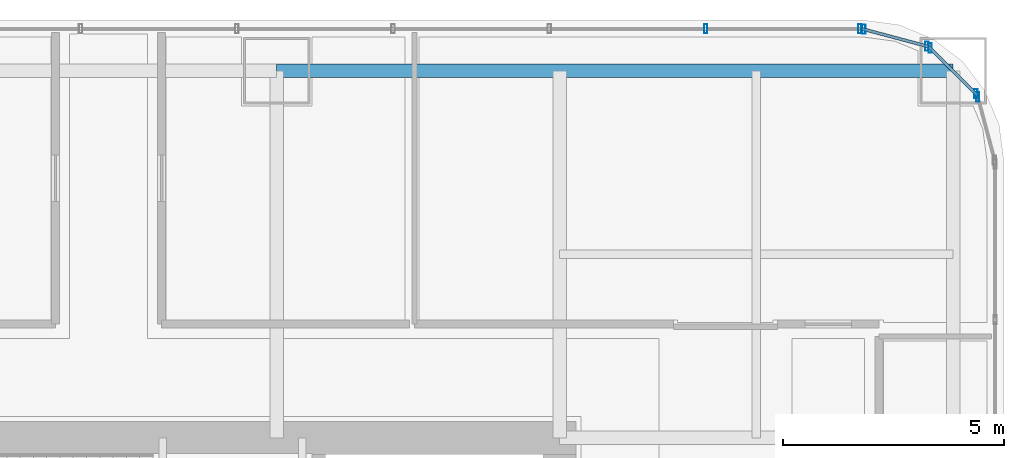
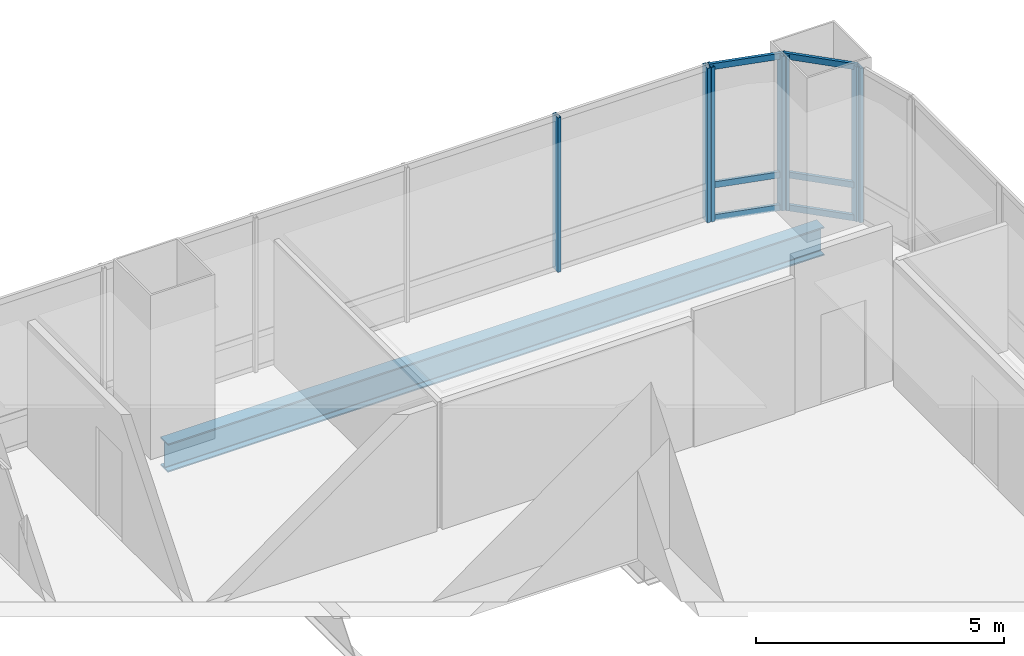
# One storey, part 25 of 36: 13 members, 1 beam, 4 elements without a shape of their own.
"""IFC4 building model written with IfcOpenShell, lengths in metres."""

from ifc_helpers import new_model, si_unit, direction, frame, origin, origin_2d, place, context, subcontext, project, spatial, hollow_rectangle, i_section, extrude, material, material_profile, profile_set, type_object, element, aggregate, save


model = new_model("IFC4")

# Units and contexts
model_context = context("Model", 3, precision=1e-05, world=origin(), true_north=direction((0.0, 1.0)))
body_context = subcontext(model_context, "Body", "Model", "MODEL_VIEW")
ifc_project = project(units=[si_unit("LENGTHUNIT", "METRE"), si_unit("AREAUNIT", "SQUARE_METRE"), si_unit("VOLUMEUNIT", "CUBIC_METRE"), si_unit("PLANEANGLEUNIT", "RADIAN"), si_unit("MASSUNIT", "GRAM", prefix="KILO")], contexts=[model_context])

# Site, building, storey
site_placement = place(None, origin())
site = spatial("IfcSite", under=ifc_project, at=site_placement, CompositionType="ELEMENT")
building_placement = place(site_placement, origin())
building = spatial("IfcBuilding", under=site, at=building_placement, Name="Punatoya Terracotta Tower", CompositionType="ELEMENT")
storey_placement = place(building_placement, frame((0.0, 0.0, 36.300048828125)))
storey = spatial("IfcBuildingStorey", under=building, at=storey_placement, Name="L07", CompositionType="ELEMENT", Elevation=36.300048828125)

# Beam
ifc_material_1 = material(Name="Steel S355", Category="steel")
ifc_material_profile_1 = material_profile(ifc_material_1, i_section(OverallWidth=0.300048828125, OverallDepth=0.699951171875, WebThickness=0.01708984375, FlangeThickness=0.031982421875, FilletRadius=0.01806640625, at=origin_2d()))
ifc_profile_set_1 = profile_set([ifc_material_profile_1], Name="Steel S355")
beam_type = type_object("IfcBeamType", Name="BM-PRI-700", PredefinedType="BEAM", material=ifc_profile_set_1)
beam_placement = place(storey_placement, frame((3.800048828125, 17.5, -0.590087890625), z_axis=(1.0, 0.0, 0.0), x_axis=(0.0, 1.0, 0.0)))
element("IfcBeam", 1, at=beam_placement, inside=storey, type_object=beam_type, Name="BM-L07-RG-N3", PredefinedType="BEAM", context=body_context, shape_type="SweptSolid", body=[
    extrude(i_section(OverallWidth=0.300048828125, OverallDepth=0.699951171875, WebThickness=0.01708984375, FlangeThickness=0.031982421875, FilletRadius=0.01806640625, at=origin_2d()), origin(), (0.0, 0.0, 1.0), 15.300048828125),
])

# Curtain wall, member
ifc_material_2 = material(Name="Aluminium 6063-T6 + Double Low-E Glass", Category="aluminium")
curtain_wall_type = type_object("IfcCurtainWallType", Name="CW-M1", PredefinedType="NOTDEFINED", material=ifc_material_2)
curtain_wall_1_placement = place(storey_placement, origin())
curtain_wall_1 = element("IfcCurtainWall", 2, at=curtain_wall_1_placement, inside=storey, type_object=curtain_wall_type, Name="L07 Curtain Wall CW-L07-CRN06", PredefinedType="NOTDEFINED")
ifc_material_3 = material(Name="Aluminium 6063-T6", Category="aluminium")
ifc_material_profile_2 = material_profile(ifc_material_3, hollow_rectangle(XDim=0.074951171875, YDim=0.2099609375, WallThickness=0.00439453125, at=origin_2d()))
ifc_profile_set_2 = profile_set([ifc_material_profile_2], Name="Aluminium 6063-T6")
member_type_1 = type_object("IfcMemberType", Name="CW-MUL-M1", PredefinedType="MULLION", material=ifc_profile_set_2)
member_1_placement = place(storey_placement, frame((19.658203125, 16.905517578125, 0.0), z_axis=(0.0, 0.0, 1.0), x_axis=(1.0, 0.0, 0.0)))
member_1 = element("IfcMember", 3, at=member_1_placement, type_object=member_type_1, Name="CW-L07-CRN06 Mullion 01", PredefinedType="MULLION", context=body_context, shape_type="SweptSolid", body=[
    extrude(hollow_rectangle(XDim=0.074951171875, YDim=0.2099609375, WallThickness=0.00439453125, at=origin_2d()), origin(), (0.0, 0.0, 1.0), 3.81005859375),
])
aggregate(curtain_wall_1, [member_1])

# Curtain wall, members
curtain_wall_2_placement = place(storey_placement, origin())
curtain_wall_2 = element("IfcCurtainWall", 4, at=curtain_wall_2_placement, inside=storey, type_object=curtain_wall_type, Name="L07 Curtain Wall CW-L07-CRN07", PredefinedType="NOTDEFINED")
member_2_placement = place(storey_placement, frame((19.61474609375, 16.98095703125, 0.0), z_axis=(0.0, 0.0, 1.0), x_axis=(1.0, 0.0, 0.0)))
member_2 = element("IfcMember", 5, at=member_2_placement, type_object=member_type_1, Name="CW-L07-CRN07 Mullion 00", PredefinedType="MULLION", context=body_context, shape_type="SweptSolid", body=[
    extrude(hollow_rectangle(XDim=0.074951171875, YDim=0.2099609375, WallThickness=0.00439453125, at=origin_2d()), origin(), (0.0, 0.0, 1.0), 3.81005859375),
])
member_3_placement = place(storey_placement, frame((18.580810546875, 18.014892578125, 0.0), z_axis=(0.0, 0.0, 1.0), x_axis=(1.0, 0.0, 0.0)))
member_3 = element("IfcMember", 6, at=member_3_placement, type_object=member_type_1, Name="CW-L07-CRN07 Mullion 01", PredefinedType="MULLION", context=body_context, shape_type="SweptSolid", body=[
    extrude(hollow_rectangle(XDim=0.074951171875, YDim=0.2099609375, WallThickness=0.00439453125, at=origin_2d()), origin(), (0.0, 0.0, 1.0), 3.81005859375),
])

curtain_wall_3_placement = place(storey_placement, origin())
curtain_wall_3 = element("IfcCurtainWall", 7, at=curtain_wall_3_placement, inside=storey, type_object=curtain_wall_type, Name="L07 Curtain Wall CW-L07-CRN08", PredefinedType="NOTDEFINED")
member_4_placement = place(storey_placement, frame((18.505615234375, 18.05810546875, 0.0), z_axis=(0.0, 0.0, 1.0), x_axis=(1.0, 0.0, 0.0)))
member_4 = element("IfcMember", 8, at=member_4_placement, type_object=member_type_1, Name="CW-L07-CRN08 Mullion 00", PredefinedType="MULLION", context=body_context, shape_type="SweptSolid", body=[
    extrude(hollow_rectangle(XDim=0.074951171875, YDim=0.2099609375, WallThickness=0.00439453125, at=origin_2d()), origin(), (0.0, 0.0, 1.0), 3.81005859375),
])
member_5_placement = place(storey_placement, frame((17.080322265625, 18.4384765625, 0.0), z_axis=(0.0, 0.0, 1.0), x_axis=(1.0, 0.0, 0.0)))
member_5 = element("IfcMember", 9, at=member_5_placement, type_object=member_type_1, Name="CW-L07-CRN08 Mullion 01", PredefinedType="MULLION", context=body_context, shape_type="SweptSolid", body=[
    extrude(hollow_rectangle(XDim=0.074951171875, YDim=0.2099609375, WallThickness=0.00439453125, at=origin_2d()), origin(), (0.0, 0.0, 1.0), 3.81005859375),
])

curtain_wall_4_placement = place(storey_placement, origin())
curtain_wall_4 = element("IfcCurtainWall", 10, at=curtain_wall_4_placement, inside=storey, type_object=curtain_wall_type, Name="L07 Curtain Wall CW-L07-N09-1", PredefinedType="NOTDEFINED")
member_6_placement = place(storey_placement, frame((16.991943359375, 18.449951171875, 0.0), z_axis=(0.0, 0.0, 1.0), x_axis=(1.0, 0.0, 0.0)))
member_6 = element("IfcMember", 11, at=member_6_placement, type_object=member_type_1, Name="CW-L07-N09-1 Mullion 00", PredefinedType="MULLION", context=body_context, shape_type="SweptSolid", body=[
    extrude(hollow_rectangle(XDim=0.074951171875, YDim=0.2099609375, WallThickness=0.00439453125, at=origin_2d()), origin(), (0.0, 0.0, 1.0), 3.81005859375),
])
member_7_placement = place(storey_placement, frame((13.5029296875, 18.449951171875, 0.0), z_axis=(0.0, 0.0, 1.0), x_axis=(1.0, 0.0, 0.0)))
member_7 = element("IfcMember", 12, at=member_7_placement, type_object=member_type_1, Name="CW-L07-N09-1 Mullion 01", PredefinedType="MULLION", context=body_context, shape_type="SweptSolid", body=[
    extrude(hollow_rectangle(XDim=0.074951171875, YDim=0.2099609375, WallThickness=0.00439453125, at=origin_2d()), origin(), (0.0, 0.0, 1.0), 3.81005859375),
])
aggregate(curtain_wall_4, [member_6, member_7])

# Member
ifc_material_profile_3 = material_profile(ifc_material_3, hollow_rectangle(XDim=0.068115234375, YDim=0.14990234375, WallThickness=0.00390625, at=origin_2d()))
ifc_profile_set_3 = profile_set([ifc_material_profile_3], Name="Aluminium 6063-T6")
member_type_2 = type_object("IfcMemberType", Name="CW-TRN-TYP", PredefinedType="USERDEFINED", material=ifc_profile_set_3)
member_8_placement = place(storey_placement, frame((19.646484375, 16.94921875, 0.0400390625), z_axis=(-0.707106781187, 0.707106781187, 0.0), x_axis=(-0.707106781187, -0.707106781187, 0.0)))
member_8 = element("IfcMember", 13, at=member_8_placement, type_object=member_type_2, Name="CW-L07-CRN07 Transom 1", ObjectType="TRANSOM", PredefinedType="USERDEFINED", context=body_context, shape_type="SweptSolid", body=[
    extrude(hollow_rectangle(XDim=0.068115234375, YDim=0.14990234375, WallThickness=0.00390625, at=origin_2d()), origin(), (0.0, 0.0, 1.0), 1.552001953125),
])

member_9_placement = place(storey_placement, frame((19.646484375, 16.94921875, 0.849853515625), z_axis=(-0.707106781187, 0.707106781187, 0.0), x_axis=(-0.707106781187, -0.707106781187, 0.0)))
member_9 = element("IfcMember", 14, at=member_9_placement, type_object=member_type_2, Name="CW-L07-CRN07 Transom 2", ObjectType="TRANSOM", PredefinedType="USERDEFINED", context=body_context, shape_type="SweptSolid", body=[
    extrude(hollow_rectangle(XDim=0.068115234375, YDim=0.14990234375, WallThickness=0.00390625, at=origin_2d()), origin(), (0.0, 0.0, 1.0), 1.552001953125),
])

member_10_placement = place(storey_placement, frame((19.646484375, 16.94921875, 3.77001953125), z_axis=(-0.707106781187, 0.707106781187, 0.0), x_axis=(-0.707106781187, -0.707106781187, 0.0)))
member_10 = element("IfcMember", 15, at=member_10_placement, type_object=member_type_2, Name="CW-L07-CRN07 Transom 3", ObjectType="TRANSOM", PredefinedType="USERDEFINED", context=body_context, shape_type="SweptSolid", body=[
    extrude(hollow_rectangle(XDim=0.068115234375, YDim=0.14990234375, WallThickness=0.00390625, at=origin_2d()), origin(), (0.0, 0.0, 1.0), 1.552001953125),
])

aggregate(curtain_wall_2, [member_2, member_3, member_8, member_9, member_10])

member_11_placement = place(storey_placement, frame((18.549072265625, 18.046630859375, 0.0400390625), z_axis=(-0.966224582397, 0.257701486942, 0.0), x_axis=(-0.257701486942, -0.966224582397, 0.0)))
member_11 = element("IfcMember", 16, at=member_11_placement, type_object=member_type_2, Name="CW-L07-CRN08 Transom 1", ObjectType="TRANSOM", PredefinedType="USERDEFINED", context=body_context, shape_type="SweptSolid", body=[
    extrude(hollow_rectangle(XDim=0.068115234375, YDim=0.14990234375, WallThickness=0.00390625, at=origin_2d()), origin(), (0.0, 0.0, 1.0), 1.565185546875),
])

member_12_placement = place(storey_placement, frame((18.549072265625, 18.046630859375, 0.849853515625), z_axis=(-0.966224582397, 0.257701486942, 0.0), x_axis=(-0.257701486942, -0.966224582397, 0.0)))
member_12 = element("IfcMember", 17, at=member_12_placement, type_object=member_type_2, Name="CW-L07-CRN08 Transom 2", ObjectType="TRANSOM", PredefinedType="USERDEFINED", context=body_context, shape_type="SweptSolid", body=[
    extrude(hollow_rectangle(XDim=0.068115234375, YDim=0.14990234375, WallThickness=0.00390625, at=origin_2d()), origin(), (0.0, 0.0, 1.0), 1.565185546875),
])

member_13_placement = place(storey_placement, frame((18.549072265625, 18.046630859375, 3.77001953125), z_axis=(-0.966224582397, 0.257701486942, 0.0), x_axis=(-0.257701486942, -0.966224582397, 0.0)))
member_13 = element("IfcMember", 18, at=member_13_placement, type_object=member_type_2, Name="CW-L07-CRN08 Transom 3", ObjectType="TRANSOM", PredefinedType="USERDEFINED", context=body_context, shape_type="SweptSolid", body=[
    extrude(hollow_rectangle(XDim=0.068115234375, YDim=0.14990234375, WallThickness=0.00390625, at=origin_2d()), origin(), (0.0, 0.0, 1.0), 1.565185546875),
])

aggregate(curtain_wall_3, [member_4, member_5, member_11, member_12, member_13])

save(model, "model.ifc")
